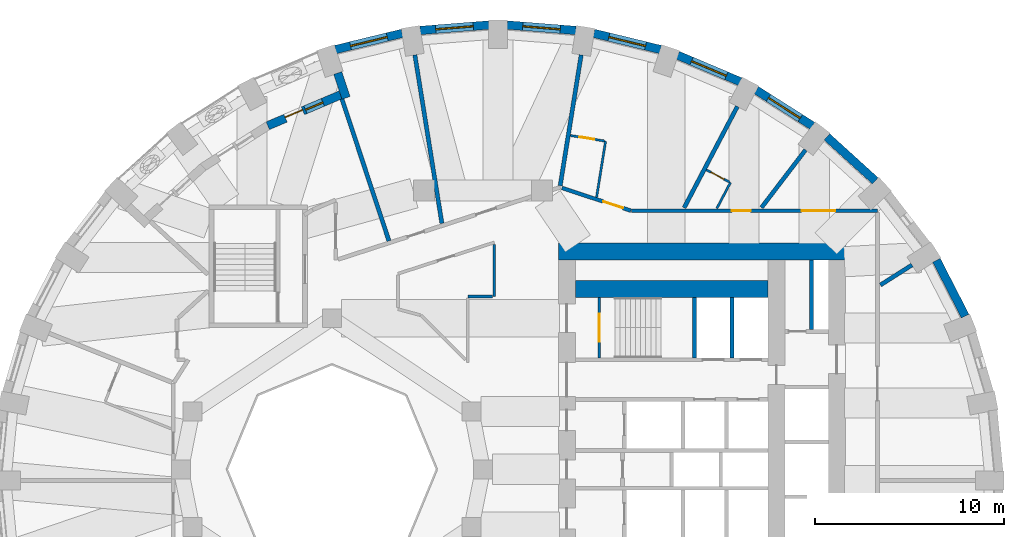
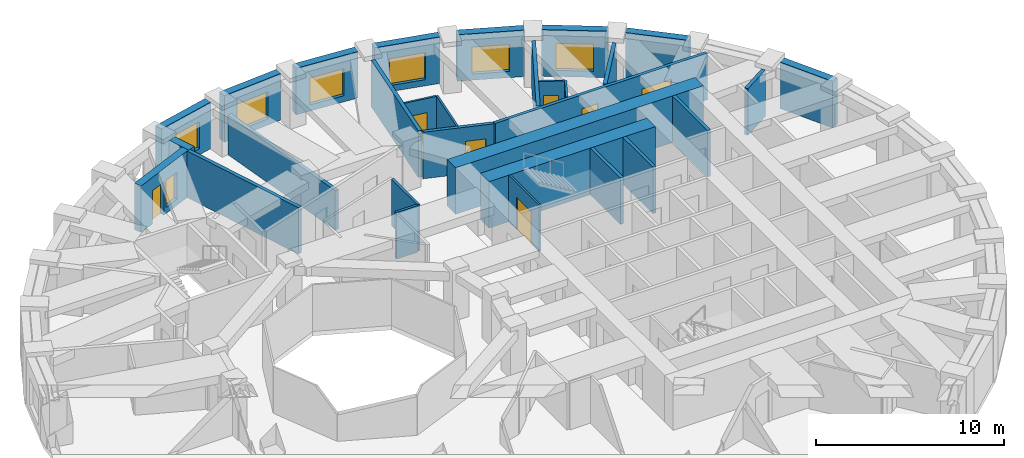
# One storey, part 8 of 12: 30 walls, 7 doors, 7 windows, 14 openings.
"""IFC4 building model written with IfcOpenShell, lengths in metres."""

import ifcopenshell
import ifcopenshell.guid

model = None  # the IFC model being written
_history = None  # IfcOwnerHistory: only IFC2X3 demands one
_inside = {}  # id of a spatial element -> (the spatial element, [elements in it])
_under = {}  # id of a project, library or spatial element -> (it, [spatial elements below it])
_declared = {}  # id of a project -> (the project, [libraries it declares])
_typed = {}  # id of a type object -> (the type object, [elements of that type])
_made_of = {}  # id of a material, layer set ... -> (it, [elements and type objects made of it])


def new_model(schema):
    """Start an empty IFC model of exactly this schema.

    Asked for "IFC4X3", IfcOpenShell would pick the latest addendum, in which some entities
    have other attributes; the version numbers below select the first issue.
    IFC2X3 requires an IfcOwnerHistory on every rooted entity: one is made here for all.
    """
    global model, _history
    if schema == "IFC4X3":
        model = ifcopenshell.file(schema_version=(4, 3, 0, 0))
    else:
        model = ifcopenshell.file(schema=schema)
    _inside.clear()
    _under.clear()
    _declared.clear()
    _typed.clear()
    _made_of.clear()
    _history = None
    if model.schema == "IFC2X3":
        org = make("IfcOrganization", Name="unknown")
        user = make(
            "IfcPersonAndOrganization",
            ThePerson=make("IfcPerson", FamilyName="unknown"),
            TheOrganization=org,
        )
        app = make(
            "IfcApplication",
            ApplicationDeveloper=org,
            Version="unknown",
            ApplicationFullName="unknown",
            ApplicationIdentifier="unknown",
        )
        _history = make(
            "IfcOwnerHistory",
            OwningUser=user,
            OwningApplication=app,
            ChangeAction="ADDED",
            CreationDate=0,
        )
    return model


def make(cls, **values):
    """One entity of the class cls with the attributes given. An attribute that is None is left unset."""
    return model.create_entity(
        cls, **{name: value for name, value in values.items() if value is not None}
    )


def rooted(cls, **values):
    """An entity with a GlobalId (a new one), such as an element, a storey or a relation."""
    return make(cls, GlobalId=ifcopenshell.guid.new(), OwnerHistory=_history, **values)


def si_unit(unit_type, name, prefix=None):
    """IfcSIUnit, for example si_unit("LENGTHUNIT", "METRE", prefix="MILLI")."""
    return make("IfcSIUnit", UnitType=unit_type, Prefix=prefix, Name=name)


def assignment(units):
    """IfcUnitAssignment: the units of a project."""
    return None if units is None else make("IfcUnitAssignment", Units=units)


def point(xyz):
    """IfcCartesianPoint."""
    return None if xyz is None else make("IfcCartesianPoint", Coordinates=xyz)


def direction(xyz):
    """IfcDirection."""
    return None if xyz is None else make("IfcDirection", DirectionRatios=xyz)


def frame(location, z_axis=None, x_axis=None):
    """IfcAxis2Placement3D, a coordinate frame: its origin and axes. An axis left out is left unset."""
    return make(
        "IfcAxis2Placement3D",
        Location=point(location),
        Axis=direction(z_axis),
        RefDirection=direction(x_axis),
    )


def frame_2d(location, x_axis=None):
    """IfcAxis2Placement2D, a coordinate frame in the plane: its origin and x axis."""
    return make(
        "IfcAxis2Placement2D", Location=point(location), RefDirection=direction(x_axis)
    )


def origin():
    """The frame at (0, 0, 0) with its axes left unset."""
    return frame((0.0, 0.0, 0.0))


def place(relative_to, where):
    """IfcLocalPlacement: puts the frame where relative to a parent placement (None: the world)."""
    return make(
        "IfcLocalPlacement", PlacementRelTo=relative_to, RelativePlacement=where
    )


def context(
    kind, dimensions, precision=None, world=None, true_north=None, identifier=None
):
    """IfcGeometricRepresentationContext, for example the 3D "Model" context."""
    return make(
        "IfcGeometricRepresentationContext",
        ContextIdentifier=identifier,
        ContextType=kind,
        CoordinateSpaceDimension=dimensions,
        Precision=precision,
        WorldCoordinateSystem=world,
        TrueNorth=true_north,
    )


def subcontext(parent, identifier, kind, view, scale=None):
    """IfcGeometricRepresentationSubContext, for example "Body" below "Model"."""
    return make(
        "IfcGeometricRepresentationSubContext",
        ContextIdentifier=identifier,
        ContextType=kind,
        ParentContext=parent,
        TargetScale=scale,
        TargetView=view,
    )


def project(units=None, contexts=None):
    """IfcProject with its units and contexts."""
    return rooted(
        "IfcProject",
        Name="project",
        RepresentationContexts=contexts,
        UnitsInContext=assignment(units),
    )


def spatial(cls, under=None, at=None, **own):
    """A site, building, storey or space (cls), placed at a placement, below another one or the project."""
    s = rooted(cls, ObjectPlacement=at, **own)
    if under is not None:
        _under.setdefault(under.id(), (under, []))[1].append(s)
    return s


def profile(cls, at=None, kind="AREA", **sizes):
    """A parametric profile (cls). Its sizes go by their IFC names, for example OverallWidth=200.0."""
    return make(cls, ProfileType=kind, Position=at, **sizes)


def rectangle(**sizes):
    """IfcRectangleProfileDef."""
    return profile("IfcRectangleProfileDef", **sizes)


def extrude(swept, where, along, depth):
    """IfcExtrudedAreaSolid: the profile swept, set in the frame where, extruded along a direction by depth."""
    return make(
        "IfcExtrudedAreaSolid",
        SweptArea=swept,
        Position=where,
        ExtrudedDirection=direction(along),
        Depth=depth,
    )


def shape(context_of_items, identifier, shape_type, items):
    """IfcShapeRepresentation: the items that make up one representation, for example the "Body"."""
    return make(
        "IfcShapeRepresentation",
        ContextOfItems=context_of_items,
        RepresentationIdentifier=identifier,
        RepresentationType=shape_type,
        Items=items,
    )


def material(Name=None, Category=None):
    """IfcMaterial."""
    return make("IfcMaterial", Name=Name, Category=Category)


def layer(
    of_material, thickness, ventilated=None, Name=None, Category=None, Priority=None
):
    """IfcMaterialLayer: one layer of a wall or slab, of a material (None: an air gap)."""
    return make(
        "IfcMaterialLayer",
        Material=of_material,
        LayerThickness=thickness,
        IsVentilated=ventilated,
        Name=Name,
        Category=Category,
        Priority=Priority,
    )


def layer_set(layers, Name=None):
    """IfcMaterialLayerSet."""
    return make("IfcMaterialLayerSet", MaterialLayers=layers, LayerSetName=Name)


def made_of(thing, what):
    """Note that an element or type object is made of a material, layer set ...; save() writes the relation."""
    if what is not None:
        _made_of.setdefault(what.id(), (what, []))[1].append(thing)
    return thing


def type_object(cls, material=None, **own):
    """A type object (cls), such as IfcWallType, which elements share."""
    return made_of(rooted(cls, **own), material)


def element(
    cls,
    number,
    at=None,
    inside=None,
    cuts=None,
    type_object=None,
    material=None,
    context=None,
    identifier="Body",
    shape_type=None,
    held_by="IfcProductDefinitionShape",
    body=None,
    shapes=None,
    **own,
):
    """One element of the class cls, such as IfcWall. Its Tag is "e" and its number.

    at: its placement. inside: the storey or other place that contains it. cuts: it is an
    opening in that element (IfcRelVoidsElement). A single representation is given by context,
    identifier, shape_type and body (its items); several are given by shapes. held_by: the class
    of the entity that holds the representations. save() writes the other relations.
    """
    e = rooted(cls, Tag="e%d" % number, ObjectPlacement=at, **own)
    if body is not None:
        shapes = [shape(context, identifier, shape_type, body)]
    if shapes is not None:
        e.Representation = make(held_by, Representations=shapes)
    if inside is not None:
        _inside.setdefault(inside.id(), (inside, []))[1].append(e)
    if cuts is not None:
        rooted(
            "IfcRelVoidsElement", RelatingBuildingElement=cuts, RelatedOpeningElement=e
        )
    if type_object is not None:
        _typed.setdefault(type_object.id(), (type_object, []))[1].append(e)
    return made_of(e, material)


def fill(opening, filler):
    """IfcRelFillsElement: the door or window that sits in an opening."""
    return rooted(
        "IfcRelFillsElement",
        RelatingOpeningElement=opening,
        RelatedBuildingElement=filler,
    )


def aggregate(whole, parts):
    """IfcRelAggregates: a whole, such as a stair, and the parts it consists of."""
    return rooted("IfcRelAggregates", RelatingObject=whole, RelatedObjects=parts)


def save(model, path):
    """Write the relations noted so far, then the file.

    IfcRelAggregates (storeys below a building ...), IfcRelContainedInSpatialStructure (elements
    in a storey), IfcRelDefinesByType, IfcRelAssociatesMaterial and IfcRelDeclares: one each for
    every whole, place, type object, material and project.
    """
    for whole, parts in _under.values():
        aggregate(whole, parts)
    for where, things in _inside.values():
        rooted(
            "IfcRelContainedInSpatialStructure",
            RelatedElements=things,
            RelatingStructure=where,
        )
    for kind, things in _typed.values():
        rooted("IfcRelDefinesByType", RelatedObjects=things, RelatingType=kind)
    for what, things in _made_of.values():
        rooted("IfcRelAssociatesMaterial", RelatedObjects=things, RelatingMaterial=what)
    for by, libraries in _declared.values():
        rooted("IfcRelDeclares", RelatingContext=by, RelatedDefinitions=libraries)
    model.write(path)


model = new_model("IFC4")

# Units and contexts
model_context = context("Model", 3, precision=1e-05, world=origin(), true_north=direction((0.0, 1.0)))
body_context = subcontext(model_context, "Body", "Model", "MODEL_VIEW")
ifc_project = project(units=[si_unit("LENGTHUNIT", "METRE"), si_unit("AREAUNIT", "SQUARE_METRE"), si_unit("VOLUMEUNIT", "CUBIC_METRE"), si_unit("PLANEANGLEUNIT", "RADIAN"), si_unit("MASSUNIT", "GRAM", prefix="KILO")], contexts=[model_context])

# Site, building, storey
site_placement = place(None, origin())
site = spatial("IfcSite", under=ifc_project, at=site_placement, CompositionType="ELEMENT")
building_placement = place(site_placement, origin())
building = spatial("IfcBuilding", under=site, at=building_placement, Name="Taillehof Tower", CompositionType="ELEMENT")
storey_placement = place(building_placement, frame((0.0, 0.0, 125.199951171875)))
storey = spatial("IfcBuildingStorey", under=building, at=storey_placement, Name="L35", CompositionType="ELEMENT", Elevation=125.199951171875)

# Walls
ifc_material_1 = material(Name="Brick masonry", Category="masonry")
ifc_layer_1 = layer(ifc_material_1, 0.449951171875)
ifc_layer_set_1 = layer_set([ifc_layer_1], Name="Brick infill wall 450")
wall_type_1 = type_object("IfcWallType", Name="Brick infill wall 450", PredefinedType="SOLIDWALL", material=ifc_layer_set_1)
wall_1_placement = place(storey_placement, frame((25.545166015625, 8.1123046875, 0.0), z_axis=(0.0, 0.0, 1.0), x_axis=(-0.456828186229, 0.889554949549, 0.0)))
element("IfcWall", 1, at=wall_1_placement, inside=storey, type_object=wall_type_1, Name="Brick wall L35 bay 3", PredefinedType="SOLIDWALL", context=body_context, shape_type="SweptSolid", body=[
    extrude(rectangle(XDim=3.332763671875, YDim=0.449951171875, at=frame_2d((1.66650390625, 0.0))), origin(), (0.0, 0.0, 1.0), 3.02001953125),
])
wall_2_placement = place(storey_placement, frame((20.783935546875, 15.281005859375, 0.0), z_axis=(0.0, 0.0, 1.0), x_axis=(-0.74032902847, 0.672244694739, 0.0)))
element("IfcWall", 2, at=wall_2_placement, inside=storey, type_object=wall_type_1, Name="Brick wall L35 bay 5", PredefinedType="SOLIDWALL", context=body_context, shape_type="SweptSolid", body=[
    extrude(rectangle(XDim=3.4638671875, YDim=0.449951171875, at=frame_2d((1.73193359375, 0.0))), origin(), (0.0, 0.0, 1.0), 3.02001953125),
])

# Wall, opening, window
wall_3_placement = place(storey_placement, frame((17.456298828125, 18.19189453125, 0.0), z_axis=(0.0, 0.0, 1.0), x_axis=(-0.843880549131, 0.536531097699, 0.0)))
wall_3 = element("IfcWall", 3, at=wall_3_placement, inside=storey, type_object=wall_type_1, Name="Brick wall L35 bay 6", PredefinedType="SOLIDWALL", context=body_context, shape_type="SweptSolid", body=[
    extrude(rectangle(XDim=3.532470703125, YDim=0.449951171875, at=frame_2d((1.76611328125, 0.0))), origin(), (0.0, 0.0, 1.0), 3.02001953125),
])
opening_1_placement = place(wall_3_placement, frame((0.76611328125, 0.0, 0.39990234375)))
opening_1 = element("IfcOpeningElement", 4, at=opening_1_placement, cuts=wall_3, Name="Opening W2", PredefinedType="OPENING", context=body_context, shape_type="SweptSolid", body=[
    extrude(rectangle(XDim=2.0, YDim=1.75, at=frame_2d((1.0, 0.875))), frame((0.0, 0.23486328125, 0.0), z_axis=(0.0, -1.0, 0.0), x_axis=(1.0, 0.0, 0.0)), (0.0, 0.0, 1.0), 0.469970703125),
])
ifc_material_2 = material(Name="Aluminium window frame with clear double glazing", Category="aluminium")
window_type_1 = type_object("IfcWindowType", Name="Deep-set window 2000x1750", PartitioningType="SINGLE_PANEL", PredefinedType="WINDOW", material=ifc_material_2)
window_1_placement = place(opening_1_placement, origin())
window_1 = element("IfcWindow", 5, at=window_1_placement, inside=storey, type_object=window_type_1, Name="W2", OverallHeight=1.75, OverallWidth=2.0, PartitioningType="SINGLE_PANEL", PredefinedType="WINDOW", context=body_context, shape_type="SweptSolid", body=[
    extrude(rectangle(XDim=2.0, YDim=1.75, at=frame_2d((1.0, 0.875))), frame((0.0, 0.034912109375, 0.0), z_axis=(0.0, -1.0, 0.0), x_axis=(1.0, 0.0, 0.0)), (0.0, 0.0, 1.0), 0.06005859375),
])
fill(opening_1, window_1)

wall_4_placement = place(storey_placement, frame((13.625244140625, 20.533447265625, 0.0), z_axis=(0.0, 0.0, 1.0), x_axis=(-0.920869643542, 0.389870619055, 0.0)))
wall_4 = element("IfcWall", 6, at=wall_4_placement, inside=storey, type_object=wall_type_1, Name="Brick wall L35 bay 7", PredefinedType="SOLIDWALL", context=body_context, shape_type="SweptSolid", body=[
    extrude(rectangle(XDim=3.59130859375, YDim=0.449951171875, at=frame_2d((1.795654296875, 0.0))), origin(), (0.0, 0.0, 1.0), 3.02001953125),
])
opening_2_placement = place(wall_4_placement, frame((0.795654296875, 0.0, 0.39990234375)))
opening_2 = element("IfcOpeningElement", 7, at=opening_2_placement, cuts=wall_4, Name="Opening W2", PredefinedType="OPENING", context=body_context, shape_type="SweptSolid", body=[
    extrude(rectangle(XDim=2.0, YDim=1.75, at=frame_2d((1.0, 0.875))), frame((0.0, 0.23486328125, 0.0), z_axis=(0.0, -1.0, 0.0), x_axis=(1.0, 0.0, 0.0)), (0.0, 0.0, 1.0), 0.469970703125),
])
window_2_placement = place(opening_2_placement, origin())
window_2 = element("IfcWindow", 8, at=window_2_placement, inside=storey, type_object=window_type_1, Name="W2", OverallHeight=1.75, OverallWidth=2.0, PartitioningType="SINGLE_PANEL", PredefinedType="WINDOW", context=body_context, shape_type="SweptSolid", body=[
    extrude(rectangle(XDim=2.0, YDim=1.75, at=frame_2d((1.0, 0.875))), frame((0.0, 0.034912109375, 0.0), z_axis=(0.0, -1.0, 0.0), x_axis=(1.0, 0.0, 0.0)), (0.0, 0.0, 1.0), 0.06005859375),
])
fill(opening_2, window_2)

wall_5_placement = place(storey_placement, frame((9.406494140625, 22.2353515625, 0.0), z_axis=(0.0, 0.0, 1.0), x_axis=(-0.971667603162, 0.236351579148, 0.0)))
wall_5 = element("IfcWall", 9, at=wall_5_placement, inside=storey, type_object=wall_type_1, Name="Brick wall L35 bay 8", PredefinedType="SOLIDWALL", context=body_context, shape_type="SweptSolid", body=[
    extrude(rectangle(XDim=3.635009765625, YDim=0.449951171875, at=frame_2d((1.8173828125, 0.0))), origin(), (0.0, 0.0, 1.0), 3.02001953125),
])
opening_3_placement = place(wall_5_placement, frame((0.8173828125, 0.0, 0.39990234375)))
opening_3 = element("IfcOpeningElement", 10, at=opening_3_placement, cuts=wall_5, Name="Opening W2", PredefinedType="OPENING", context=body_context, shape_type="SweptSolid", body=[
    extrude(rectangle(XDim=2.0, YDim=1.75, at=frame_2d((1.0, 0.875))), frame((0.0, 0.23486328125, 0.0), z_axis=(0.0, -1.0, 0.0), x_axis=(1.0, 0.0, 0.0)), (0.0, 0.0, 1.0), 0.469970703125),
])
window_3_placement = place(opening_3_placement, origin())
window_3 = element("IfcWindow", 11, at=window_3_placement, inside=storey, type_object=window_type_1, Name="W2", OverallHeight=1.75, OverallWidth=2.0, PartitioningType="SINGLE_PANEL", PredefinedType="WINDOW", context=body_context, shape_type="SweptSolid", body=[
    extrude(rectangle(XDim=2.0, YDim=1.75, at=frame_2d((1.0, 0.875))), frame((0.0, 0.034912109375, 0.0), z_axis=(0.0, -1.0, 0.0), x_axis=(1.0, 0.0, 0.0)), (0.0, 0.0, 1.0), 0.06005859375),
])
fill(opening_3, window_3)

wall_6_placement = place(storey_placement, frame((4.926513671875, 23.24658203125, 0.0), z_axis=(0.0, 0.0, 1.0), x_axis=(-0.996862216754, 0.079156306178, 0.0)))
wall_6 = element("IfcWall", 12, at=wall_6_placement, inside=storey, type_object=wall_type_1, Name="Brick wall L35 bay 9", PredefinedType="SOLIDWALL", context=body_context, shape_type="SweptSolid", body=[
    extrude(rectangle(XDim=3.657958984375, YDim=0.449951171875, at=frame_2d((1.8291015625, 0.0))), origin(), (0.0, 0.0, 1.0), 3.02001953125),
])
opening_4_placement = place(wall_6_placement, frame((0.8291015625, 0.0, 0.39990234375)))
opening_4 = element("IfcOpeningElement", 13, at=opening_4_placement, cuts=wall_6, Name="Opening W2", PredefinedType="OPENING", context=body_context, shape_type="SweptSolid", body=[
    extrude(rectangle(XDim=2.0, YDim=1.75, at=frame_2d((1.0, 0.875))), frame((0.0, 0.23486328125, 0.0), z_axis=(0.0, -1.0, 0.0), x_axis=(1.0, 0.0, 0.0)), (0.0, 0.0, 1.0), 0.469970703125),
])
window_4_placement = place(opening_4_placement, origin())
window_4 = element("IfcWindow", 14, at=window_4_placement, inside=storey, type_object=window_type_1, Name="W2", OverallHeight=1.75, OverallWidth=2.0, PartitioningType="SINGLE_PANEL", PredefinedType="WINDOW", context=body_context, shape_type="SweptSolid", body=[
    extrude(rectangle(XDim=2.0, YDim=1.75, at=frame_2d((1.0, 0.875))), frame((0.0, 0.034912109375, 0.0), z_axis=(0.0, -1.0, 0.0), x_axis=(1.0, 0.0, 0.0)), (0.0, 0.0, 1.0), 0.06005859375),
])
fill(opening_4, window_4)

wall_7_placement = place(storey_placement, frame((0.31982421875, 23.5361328125, 0.0), z_axis=(0.0, 0.0, 1.0), x_axis=(-0.996862216754, -0.079156306178, 0.0)))
wall_7 = element("IfcWall", 15, at=wall_7_placement, inside=storey, type_object=wall_type_1, Name="Brick wall L35 bay 10", PredefinedType="SOLIDWALL", context=body_context, shape_type="SweptSolid", body=[
    extrude(rectangle(XDim=3.657958984375, YDim=0.449951171875, at=frame_2d((1.8291015625, 0.0))), origin(), (0.0, 0.0, 1.0), 3.02001953125),
])
opening_5_placement = place(wall_7_placement, frame((0.8291015625, 0.0, 0.39990234375)))
opening_5 = element("IfcOpeningElement", 16, at=opening_5_placement, cuts=wall_7, Name="Opening W2", PredefinedType="OPENING", context=body_context, shape_type="SweptSolid", body=[
    extrude(rectangle(XDim=2.0, YDim=1.75, at=frame_2d((1.0, 0.875))), frame((0.0, 0.23486328125, 0.0), z_axis=(0.0, -1.0, 0.0), x_axis=(1.0, 0.0, 0.0)), (0.0, 0.0, 1.0), 0.469970703125),
])
window_5_placement = place(opening_5_placement, origin())
window_5 = element("IfcWindow", 17, at=window_5_placement, inside=storey, type_object=window_type_1, Name="W2", OverallHeight=1.75, OverallWidth=2.0, PartitioningType="SINGLE_PANEL", PredefinedType="WINDOW", context=body_context, shape_type="SweptSolid", body=[
    extrude(rectangle(XDim=2.0, YDim=1.75, at=frame_2d((1.0, 0.875))), frame((0.0, 0.034912109375, 0.0), z_axis=(0.0, -1.0, 0.0), x_axis=(1.0, 0.0, 0.0)), (0.0, 0.0, 1.0), 0.06005859375),
])
fill(opening_5, window_5)

wall_8_placement = place(storey_placement, frame((-4.274658203125, 23.094482421875, 0.0), z_axis=(0.0, 0.0, 1.0), x_axis=(-0.971667603162, -0.236351579148, 0.0)))
wall_8 = element("IfcWall", 18, at=wall_8_placement, inside=storey, type_object=wall_type_1, Name="Brick wall L35 bay 11", PredefinedType="SOLIDWALL", context=body_context, shape_type="SweptSolid", body=[
    extrude(rectangle(XDim=3.635009765625, YDim=0.449951171875, at=frame_2d((1.8173828125, 0.0))), origin(), (0.0, 0.0, 1.0), 3.02001953125),
])
opening_6_placement = place(wall_8_placement, frame((0.8173828125, 0.0, 0.39990234375)))
opening_6 = element("IfcOpeningElement", 19, at=opening_6_placement, cuts=wall_8, Name="Opening W2", PredefinedType="OPENING", context=body_context, shape_type="SweptSolid", body=[
    extrude(rectangle(XDim=2.0, YDim=1.75, at=frame_2d((1.0, 0.875))), frame((0.0, 0.23486328125, 0.0), z_axis=(0.0, -1.0, 0.0), x_axis=(1.0, 0.0, 0.0)), (0.0, 0.0, 1.0), 0.469970703125),
])
window_6_placement = place(opening_6_placement, origin())
window_6 = element("IfcWindow", 20, at=window_6_placement, inside=storey, type_object=window_type_1, Name="W2", OverallHeight=1.75, OverallWidth=2.0, PartitioningType="SINGLE_PANEL", PredefinedType="WINDOW", context=body_context, shape_type="SweptSolid", body=[
    extrude(rectangle(XDim=2.0, YDim=1.75, at=frame_2d((1.0, 0.875))), frame((0.0, 0.034912109375, 0.0), z_axis=(0.0, -1.0, 0.0), x_axis=(1.0, 0.0, 0.0)), (0.0, 0.0, 1.0), 0.06005859375),
])
fill(opening_6, window_6)

# Wall
wall_9_placement = place(storey_placement, frame((-7.68701171875, 20.99462890625, 0.0), z_axis=(0.0, 0.0, 1.0), x_axis=(0.314541283205, -0.949243794375, 0.0)))
element("IfcWall", 21, at=wall_9_placement, inside=storey, type_object=wall_type_1, Name="Brick reveal L35 pocket 3", PredefinedType="SOLIDWALL", context=body_context, shape_type="SweptSolid", body=[
    extrude(rectangle(XDim=1.39013671875, YDim=0.449951171875, at=frame_2d((0.695068359375, 0.0))), origin(), (0.0, 0.0, 1.0), 3.02001953125),
])

# Wall, openings, door, window
wall_10_placement = place(storey_placement, frame((-7.540283203125, 19.8359375, 0.0), z_axis=(0.0, 0.0, 1.0), x_axis=(-0.920502375708, -0.390736965637, 0.0)))
wall_10 = element("IfcWall", 22, at=wall_10_placement, inside=storey, type_object=wall_type_1, Name="Brick wall L35 pocket bay 12", PredefinedType="SOLIDWALL", context=body_context, shape_type="SweptSolid", body=[
    extrude(rectangle(XDim=4.188232421875, YDim=0.449951171875, at=frame_2d((2.09423828125, 0.0))), origin(), (0.0, 0.0, 1.0), 3.02001953125),
])
opening_7_placement = place(wall_10_placement, frame((1.01904296875, 0.0, 0.39990234375)))
opening_7 = element("IfcOpeningElement", 23, at=opening_7_placement, cuts=wall_10, Name="Opening W5", PredefinedType="OPENING", context=body_context, shape_type="SweptSolid", body=[
    extrude(rectangle(XDim=1.0, YDim=1.75, at=frame_2d((0.5, 0.875))), frame((0.0, 0.23486328125, 0.0), z_axis=(0.0, -1.0, 0.0), x_axis=(1.0, 0.0, 0.0)), (0.0, 0.0, 1.0), 0.469970703125),
])
opening_8_placement = place(wall_10_placement, frame((2.169189453125, 0.0, 0.0)))
opening_8 = element("IfcOpeningElement", 24, at=opening_8_placement, cuts=wall_10, Name="Opening D3594", PredefinedType="OPENING", context=body_context, shape_type="SweptSolid", body=[
    extrude(rectangle(XDim=1.0, YDim=2.14990234375, at=frame_2d((0.5, 1.074951171875))), frame((0.0, 0.23486328125, 0.0), z_axis=(0.0, -1.0, 0.0), x_axis=(1.0, 0.0, 0.0)), (0.0, 0.0, 1.0), 0.469970703125),
])
ifc_material_3 = material(Name="Aluminium door frame with clear double glazing", Category="aluminium")
door_type_1 = type_object("IfcDoorType", Name="Balcony door 1000x2150", OperationType="SINGLE_SWING_RIGHT", PredefinedType="DOOR", material=ifc_material_3)
door_1_placement = place(opening_8_placement, frame((1.0, 0.0, 0.0), z_axis=(0.0, 0.0, 1.0), x_axis=(-1.0, 0.0, 0.0)))
door_1 = element("IfcDoor", 25, at=door_1_placement, inside=storey, type_object=door_type_1, Name="Balcony door L35 bay 12", OperationType="SINGLE_SWING_RIGHT", OverallHeight=2.14990234375, OverallWidth=1.0, PredefinedType="DOOR", context=body_context, shape_type="SweptSolid", body=[
    extrude(rectangle(XDim=1.0, YDim=2.14990234375, at=frame_2d((0.5, 1.074951171875))), frame((0.0, 0.0751953125, 0.0), z_axis=(0.0, -1.0, 0.0), x_axis=(1.0, 0.0, 0.0)), (0.0, 0.0, 1.0), 0.050048828125),
])
fill(opening_8, door_1)
ifc_material_4 = material(Name="Aluminium window frame with clear double glazing", Category="aluminium")
window_type_2 = type_object("IfcWindowType", Name="Fixed window 1000x1750", PartitioningType="SINGLE_PANEL", PredefinedType="WINDOW", material=ifc_material_4)
window_7_placement = place(opening_7_placement, origin())
window_7 = element("IfcWindow", 26, at=window_7_placement, inside=storey, type_object=window_type_2, Name="W5", OverallHeight=1.75, OverallWidth=1.0, PartitioningType="SINGLE_PANEL", PredefinedType="WINDOW", context=body_context, shape_type="SweptSolid", body=[
    extrude(rectangle(XDim=1.0, YDim=1.75, at=frame_2d((0.5, 0.875))), frame((0.0, 0.034912109375, 0.0), z_axis=(0.0, -1.0, 0.0), x_axis=(1.0, 0.0, 0.0)), (0.0, 0.0, 1.0), 0.06005859375),
])
fill(opening_7, window_7)

# Wall
ifc_material_5 = material(Name="Calcium silicate masonry", Category="masonry")
ifc_layer_2 = layer(ifc_material_5, 0.199951171875)
ifc_layer_set_2 = layer_set([ifc_layer_2], Name="Compartment wall calcium silicate 200")
wall_type_2 = type_object("IfcWallType", Name="Compartment wall calcium silicate 200", PredefinedType="PARTITIONING", material=ifc_layer_set_2)
wall_11_placement = place(storey_placement, frame((17.39990234375, 7.39990234375, 0.0), z_axis=(0.0, 0.0, 1.0), x_axis=(0.0, 1.0, 0.0)))
element("IfcWall", 27, at=wall_11_placement, inside=storey, type_object=wall_type_2, Name="Compartment wall FW", PredefinedType="PARTITIONING", context=body_context, shape_type="SweptSolid", body=[
    extrude(rectangle(XDim=3.7001953125, YDim=0.199951171875, at=frame_2d((1.85009765625, 0.0))), origin(), (0.0, 0.0, 1.0), 3.02001953125),
])

# Wall, opening, door
ifc_material_6 = material(Name="Gypsum board on steel studs, two layers each side", Category="steel")
ifc_layer_3 = layer(ifc_material_6, 0.199951171875)
ifc_layer_set_3 = layer_set([ifc_layer_3], Name="Compartment wall corridor 200")
wall_type_3 = type_object("IfcWallType", Name="Compartment wall corridor 200", PredefinedType="PARTITIONING", material=ifc_layer_set_3)
wall_12_placement = place(storey_placement, frame((4.185791015625, 14.90625, 0.0), z_axis=(0.0, 0.0, 1.0), x_axis=(0.94947428881, -0.313844826131, 0.0)))
wall_12 = element("IfcWall", 28, at=wall_12_placement, inside=storey, type_object=wall_type_3, Name="Compartment wall", PredefinedType="PARTITIONING", context=body_context, shape_type="SweptSolid", body=[
    extrude(rectangle(XDim=3.843505859375, YDim=0.199951171875, at=frame_2d((1.921875, 0.0))), origin(), (0.0, 0.0, 1.0), 3.02001953125),
])
opening_9_placement = place(wall_12_placement, frame((2.29833984375, 0.0, 0.0)))
opening_9 = element("IfcOpeningElement", 29, at=opening_9_placement, cuts=wall_12, Name="Opening D3542", PredefinedType="OPENING", context=body_context, shape_type="SweptSolid", body=[
    extrude(rectangle(XDim=1.10009765625, YDim=2.10009765625, at=frame_2d((0.550048828125, 1.050048828125))), frame((0.0, 0.10986328125, 0.0), z_axis=(0.0, -1.0, 0.0), x_axis=(1.0, 0.0, 0.0)), (0.0, 0.0, 1.0), 0.219970703125),
])
ifc_material_7 = material(Name="Timber door leaf in steel frame", Category="steel")
door_type_2 = type_object("IfcDoorType", Name="Suite entrance door EI 30 1100 x 2100", OperationType="SINGLE_SWING_LEFT", PredefinedType="DOOR", material=ifc_material_7)
door_2_placement = place(opening_9_placement, origin())
door_2 = element("IfcDoor", 30, at=door_2_placement, inside=storey, type_object=door_type_2, Name="D3542", OperationType="SINGLE_SWING_LEFT", OverallHeight=2.10009765625, OverallWidth=1.10009765625, PredefinedType="DOOR", context=body_context, shape_type="SweptSolid", body=[
    extrude(rectangle(XDim=1.10009765625, YDim=2.10009765625, at=frame_2d((0.550048828125, 1.050048828125))), frame((0.0, 0.02490234375, 0.0), z_axis=(0.0, -1.0, 0.0), x_axis=(1.0, 0.0, 0.0)), (0.0, 0.0, 1.0), 0.050048828125),
])
fill(opening_9, door_2)

# Wall, openings, doors
wall_13_placement = place(storey_placement, frame((7.875244140625, 13.699951171875, 0.0), z_axis=(0.0, 0.0, 1.0), x_axis=(1.0, 0.0, 0.0)))
wall_13 = element("IfcWall", 31, at=wall_13_placement, inside=storey, type_object=wall_type_3, Name="Compartment wall", PredefinedType="PARTITIONING", context=body_context, shape_type="SweptSolid", body=[
    extrude(rectangle(XDim=13.024658203125, YDim=0.199951171875, at=frame_2d((6.51220703125, 0.0))), origin(), (0.0, 0.0, 1.0), 3.02001953125),
])
opening_10_placement = place(wall_13_placement, frame((5.310546875, 0.0, 0.0)))
opening_10 = element("IfcOpeningElement", 32, at=opening_10_placement, cuts=wall_13, Name="Opening D3540", PredefinedType="OPENING", context=body_context, shape_type="SweptSolid", body=[
    extrude(rectangle(XDim=1.0, YDim=2.10009765625, at=frame_2d((0.5, 1.050048828125))), frame((0.0, 0.10986328125, 0.0), z_axis=(0.0, -1.0, 0.0), x_axis=(1.0, 0.0, 0.0)), (0.0, 0.0, 1.0), 0.219970703125),
])
opening_11_placement = place(wall_13_placement, frame((8.999755859375, 0.0, 0.0)))
opening_11 = element("IfcOpeningElement", 33, at=opening_11_placement, cuts=wall_13, Name="Opening D3565", PredefinedType="OPENING", context=body_context, shape_type="SweptSolid", body=[
    extrude(rectangle(XDim=1.800048828125, YDim=2.10009765625, at=frame_2d((0.89990234375, 1.050048828125))), frame((0.0, 0.10986328125, 0.0), z_axis=(0.0, -1.0, 0.0), x_axis=(1.0, 0.0, 0.0)), (0.0, 0.0, 1.0), 0.219970703125),
])
ifc_material_8 = material(Name="Timber door leaf in steel frame", Category="steel")
door_type_3 = type_object("IfcDoorType", Name="Guest room door EI 30 1000 x 2100", OperationType="SINGLE_SWING_LEFT", PredefinedType="DOOR", material=ifc_material_8)
door_3_placement = place(opening_10_placement, origin())
door_3 = element("IfcDoor", 34, at=door_3_placement, inside=storey, type_object=door_type_3, Name="D3540", OperationType="SINGLE_SWING_RIGHT", OverallHeight=2.10009765625, OverallWidth=1.0, PredefinedType="DOOR", context=body_context, shape_type="SweptSolid", body=[
    extrude(rectangle(XDim=1.0, YDim=2.10009765625, at=frame_2d((0.5, 1.050048828125))), frame((0.0, 0.02490234375, 0.0), z_axis=(0.0, -1.0, 0.0), x_axis=(1.0, 0.0, 0.0)), (0.0, 0.0, 1.0), 0.050048828125),
])
fill(opening_10, door_3)
ifc_material_9 = material(Name="Timber door leaf in steel frame", Category="steel")
door_type_4 = type_object("IfcDoorType", Name="Lounge and meeting room double door EI 30 1800 x 2100", OperationType="SINGLE_SWING_LEFT", PredefinedType="DOOR", material=ifc_material_9)
door_4_placement = place(opening_11_placement, origin())
door_4 = element("IfcDoor", 35, at=door_4_placement, inside=storey, type_object=door_type_4, Name="D3565", OperationType="DOUBLE_DOOR_SINGLE_SWING", OverallHeight=2.10009765625, OverallWidth=1.800048828125, PredefinedType="DOOR", context=body_context, shape_type="SweptSolid", body=[
    extrude(rectangle(XDim=1.800048828125, YDim=2.10009765625, at=frame_2d((0.89990234375, 1.050048828125))), frame((0.0, 0.02490234375, 0.0), z_axis=(0.0, -1.0, 0.0), x_axis=(1.0, 0.0, 0.0)), (0.0, 0.0, 1.0), 0.050048828125),
])
fill(opening_11, door_4)

# Walls
ifc_material_10 = material(Name="Gypsum board on double steel studs with mineral wool", Category="steel")
ifc_layer_4 = layer(ifc_material_10, 0.219970703125)
ifc_layer_set_4 = layer_set([ifc_layer_4], Name="Compartment wall guest room 220")
wall_type_4 = type_object("IfcWallType", Name="Compartment wall guest room 220", PredefinedType="PARTITIONING", material=ifc_layer_set_4)
wall_14_placement = place(storey_placement, frame((22.7265625, 10.8232421875, 0.0), z_axis=(0.0, 0.0, 1.0), x_axis=(-0.844587282199, -0.535417895431, 0.0)))
element("IfcWall", 36, at=wall_14_placement, inside=storey, type_object=wall_type_4, Name="Compartment wall", PredefinedType="PARTITIONING", context=body_context, shape_type="SweptSolid", body=[
    extrude(rectangle(XDim=1.984375, YDim=0.219970703125, at=frame_2d((0.9921875, 0.0))), origin(), (0.0, 0.0, 1.0), 3.02001953125),
])
wall_15_placement = place(storey_placement, frame((17.08935546875, 16.9208984375, 0.0), z_axis=(0.0, 0.0, 1.0), x_axis=(-0.607033117359, -0.794676534465, 0.0)))
element("IfcWall", 37, at=wall_15_placement, inside=storey, type_object=wall_type_4, Name="Compartment wall", PredefinedType="PARTITIONING", context=body_context, shape_type="SweptSolid", body=[
    extrude(rectangle(XDim=3.847412109375, YDim=0.219970703125, at=frame_2d((1.923828125, 0.0))), origin(), (0.0, 0.0, 1.0), 3.02001953125),
])
wall_16_placement = place(storey_placement, frame((13.47607421875, 19.217529296875, 0.0), z_axis=(0.0, 0.0, 1.0), x_axis=(-0.465346231977, -0.885128738876, 0.0)))
element("IfcWall", 38, at=wall_16_placement, inside=storey, type_object=wall_type_4, Name="Compartment wall", PredefinedType="PARTITIONING", context=body_context, shape_type="SweptSolid", body=[
    extrude(rectangle(XDim=6.06005859375, YDim=0.219970703125, at=frame_2d((3.030029296875, 0.0))), origin(), (0.0, 0.0, 1.0), 3.02001953125),
])
wall_17_placement = place(storey_placement, frame((5.20458984375, 21.9501953125, 0.0), z_axis=(0.0, 0.0, 1.0), x_axis=(-0.158500652659, -0.987358872501, 0.0)))
element("IfcWall", 39, at=wall_17_placement, inside=storey, type_object=wall_type_4, Name="Compartment wall", PredefinedType="PARTITIONING", context=body_context, shape_type="SweptSolid", body=[
    extrude(rectangle(XDim=7.017578125, YDim=0.219970703125, at=frame_2d((3.5087890625, 0.0))), origin(), (0.0, 0.0, 1.0), 3.02001953125),
])
wall_18_placement = place(storey_placement, frame((-3.604736328125, 21.9501953125, 0.0), z_axis=(0.0, 0.0, 1.0), x_axis=(0.158519564718, -0.987355836364, 0.0)))
element("IfcWall", 40, at=wall_18_placement, inside=storey, type_object=wall_type_4, Name="Compartment wall", PredefinedType="PARTITIONING", context=body_context, shape_type="SweptSolid", body=[
    extrude(rectangle(XDim=9.034423828125, YDim=0.219970703125, at=frame_2d((4.51708984375, 0.0))), origin(), (0.0, 0.0, 1.0), 2.570068359375),
])
wall_19_placement = place(storey_placement, frame((-7.46923828125, 19.621826171875, 0.0), z_axis=(0.0, 0.0, 1.0), x_axis=(0.314545340174, -0.949242450049, 0.0)))
element("IfcWall", 41, at=wall_19_placement, inside=storey, type_object=wall_type_4, Name="Compartment wall", PredefinedType="PARTITIONING", context=body_context, shape_type="SweptSolid", body=[
    extrude(rectangle(XDim=7.925537109375, YDim=0.219970703125, at=frame_2d((3.962890625, 0.0))), origin(), (0.0, 0.0, 1.0), 3.02001953125),
])
ifc_material_11 = material(Name="Gypsum board on steel studs, two layers each side", Category="steel")
ifc_layer_5 = layer(ifc_material_11, 0.14990234375)
ifc_layer_set_5 = layer_set([ifc_layer_5], Name="Compartment wall service room 150")
wall_type_5 = type_object("IfcWallType", Name="Compartment wall service room 150", PredefinedType="PARTITIONING", material=ifc_layer_set_5)
wall_20_placement = place(storey_placement, frame((0.60009765625, 11.9169921875, 0.0), z_axis=(0.0, 0.0, 1.0), x_axis=(0.0, -1.0, 0.0)))
element("IfcWall", 42, at=wall_20_placement, inside=storey, type_object=wall_type_5, Name="Compartment wall", PredefinedType="PARTITIONING", context=body_context, shape_type="SweptSolid", body=[
    extrude(rectangle(XDim=2.76708984375, YDim=0.14990234375, at=frame_2d((1.383544921875, 0.0))), origin(), (0.0, 0.0, 1.0), 3.02001953125),
])
wall_21_placement = place(storey_placement, frame((0.52001953125, 9.14990234375, 0.0), z_axis=(0.0, 0.0, 1.0), x_axis=(-1.0, 0.0, 0.0)))
element("IfcWall", 43, at=wall_21_placement, inside=storey, type_object=wall_type_5, Name="Compartment wall", PredefinedType="PARTITIONING", context=body_context, shape_type="SweptSolid", body=[
    extrude(rectangle(XDim=1.320068359375, YDim=0.14990234375, at=frame_2d((0.66015625, 0.0))), origin(), (0.0, 0.0, 1.0), 3.02001953125),
])
ifc_material_12 = material(Name="Concrete C80/95", Category="concrete")
ifc_layer_6 = layer(ifc_material_12, 0.89990234375)
ifc_layer_set_6 = layer_set([ifc_layer_6], Name="Core wall C80/95 900")
wall_type_6 = type_object("IfcWallType", Name="Core wall C80/95 900", PredefinedType="SHEAR", material=ifc_layer_set_6)
wall_22_placement = place(storey_placement, frame((4.0, 11.550048828125, 0.0), z_axis=(0.0, 0.0, 1.0), x_axis=(1.0, 0.0, 0.0)))
element("IfcWall", 44, at=wall_22_placement, inside=storey, type_object=wall_type_6, Name="Core wall CW03", PredefinedType="SHEAR", context=body_context, shape_type="SweptSolid", body=[
    extrude(rectangle(XDim=15.199951171875, YDim=0.89990234375, at=frame_2d((7.60009765625, 0.0))), origin(), (0.0, 0.0, 1.0), 3.02001953125),
])
wall_23_placement = place(storey_placement, frame((4.89990234375, 9.550048828125, 0.0), z_axis=(0.0, 0.0, 1.0), x_axis=(1.0, 0.0, 0.0)))
element("IfcWall", 45, at=wall_23_placement, inside=storey, type_object=wall_type_6, Name="Core wall CW06", PredefinedType="SHEAR", context=body_context, shape_type="SweptSolid", body=[
    extrude(rectangle(XDim=10.2001953125, YDim=0.89990234375, at=frame_2d((5.10009765625, 0.0))), origin(), (0.0, 0.0, 1.0), 3.02001953125),
])
ifc_material_13 = material(Name="Gypsum board on steel studs, moisture resistant", Category="steel")
ifc_layer_7 = layer(ifc_material_13, 0.1201171875)
ifc_layer_set_7 = layer_set([ifc_layer_7], Name="En-suite wall 120")
wall_type_7 = type_object("IfcWallType", Name="En-suite wall 120", PredefinedType="PARTITIONING", material=ifc_layer_set_7)
wall_24_placement = place(storey_placement, frame((12.388671875, 13.81787109375, 0.0), z_axis=(0.0, 0.0, 1.0), x_axis=(0.465305514099, 0.885150144636, 0.0)))
element("IfcWall", 46, at=wall_24_placement, inside=storey, type_object=wall_type_7, Name="En-suite wall", PredefinedType="PARTITIONING", context=body_context, shape_type="SweptSolid", body=[
    extrude(rectangle(XDim=1.552001953125, YDim=0.1201171875, at=frame_2d((0.77587890625, 0.0))), origin(), (0.0, 0.0, 1.0), 3.02001953125),
])
wall_25_placement = place(storey_placement, frame((6.01904296875, 14.40576171875, 0.0), z_axis=(0.0, 0.0, 1.0), x_axis=(0.158524395275, 0.987355060808, 0.0)))
element("IfcWall", 47, at=wall_25_placement, inside=storey, type_object=wall_type_7, Name="En-suite wall", PredefinedType="PARTITIONING", context=body_context, shape_type="SweptSolid", body=[
    extrude(rectangle(XDim=3.013916015625, YDim=0.1201171875, at=frame_2d((1.5068359375, 0.0))), origin(), (0.0, 0.0, 1.0), 3.02001953125),
])

# Wall, opening, door
wall_26_placement = place(storey_placement, frame((13.057373046875, 15.219482421875, 0.0), z_axis=(0.0, 0.0, 1.0), x_axis=(-0.885071735195, 0.465454641784, 0.0)))
wall_26 = element("IfcWall", 48, at=wall_26_placement, inside=storey, type_object=wall_type_7, Name="En-suite wall", PredefinedType="PARTITIONING", context=body_context, shape_type="SweptSolid", body=[
    extrude(rectangle(XDim=1.37939453125, YDim=0.1201171875, at=frame_2d((0.689697265625, 0.0))), origin(), (0.0, 0.0, 1.0), 3.02001953125),
])
opening_12_placement = place(wall_26_placement, frame((0.314697265625, 0.0, 0.0)))
opening_12 = element("IfcOpeningElement", 49, at=opening_12_placement, cuts=wall_26, Name="Opening D3541", PredefinedType="OPENING", context=body_context, shape_type="SweptSolid", body=[
    extrude(rectangle(XDim=0.800048828125, YDim=2.10009765625, at=frame_2d((0.39990234375, 1.050048828125))), frame((0.0, 0.070068359375, 0.0), z_axis=(0.0, -1.0, 0.0), x_axis=(1.0, 0.0, 0.0)), (0.0, 0.0, 1.0), 0.14013671875),
])
ifc_material_14 = material(Name="Timber door leaf in steel frame", Category="steel")
door_type_5 = type_object("IfcDoorType", Name="En-suite door 800 x 2100", OperationType="SINGLE_SWING_LEFT", PredefinedType="DOOR", material=ifc_material_14)
door_5_placement = place(opening_12_placement, origin())
door_5 = element("IfcDoor", 50, at=door_5_placement, inside=storey, type_object=door_type_5, Name="D3541", OperationType="SINGLE_SWING_LEFT", OverallHeight=2.10009765625, OverallWidth=0.800048828125, PredefinedType="DOOR", context=body_context, shape_type="SweptSolid", body=[
    extrude(rectangle(XDim=0.800048828125, YDim=2.10009765625, at=frame_2d((0.39990234375, 1.050048828125))), frame((0.0, 0.02490234375, 0.0), z_axis=(0.0, -1.0, 0.0), x_axis=(1.0, 0.0, 0.0)), (0.0, 0.0, 1.0), 0.050048828125),
])
fill(opening_12, door_5)

wall_27_placement = place(storey_placement, frame((6.4375, 17.39111328125, 0.0), z_axis=(0.0, 0.0, 1.0), x_axis=(-0.987336342922, 0.158640934018, 0.0)))
wall_27 = element("IfcWall", 51, at=wall_27_placement, inside=storey, type_object=wall_type_7, Name="En-suite wall", PredefinedType="PARTITIONING", context=body_context, shape_type="SweptSolid", body=[
    extrude(rectangle(XDim=1.829833984375, YDim=0.1201171875, at=frame_2d((0.9150390625, 0.0))), origin(), (0.0, 0.0, 1.0), 3.02001953125),
])
opening_13_placement = place(wall_27_placement, frame((0.539794921875, 0.0, 0.0)))
opening_13 = element("IfcOpeningElement", 52, at=opening_13_placement, cuts=wall_27, Name="Opening D3543", PredefinedType="OPENING", context=body_context, shape_type="SweptSolid", body=[
    extrude(rectangle(XDim=0.800048828125, YDim=2.10009765625, at=frame_2d((0.39990234375, 1.050048828125))), frame((0.0, 0.070068359375, 0.0), z_axis=(0.0, -1.0, 0.0), x_axis=(1.0, 0.0, 0.0)), (0.0, 0.0, 1.0), 0.14013671875),
])
door_6_placement = place(opening_13_placement, origin())
door_6 = element("IfcDoor", 53, at=door_6_placement, inside=storey, type_object=door_type_5, Name="D3543", OperationType="SINGLE_SWING_LEFT", OverallHeight=2.10009765625, OverallWidth=0.800048828125, PredefinedType="DOOR", context=body_context, shape_type="SweptSolid", body=[
    extrude(rectangle(XDim=0.800048828125, YDim=2.10009765625, at=frame_2d((0.39990234375, 1.050048828125))), frame((0.0, 0.02490234375, 0.0), z_axis=(0.0, -1.0, 0.0), x_axis=(1.0, 0.0, 0.0)), (0.0, 0.0, 1.0), 0.050048828125),
])
fill(opening_13, door_6)

# Walls
ifc_material_15 = material(Name="Concrete C50/60", Category="concrete")
ifc_layer_8 = layer(ifc_material_15, 0.199951171875)
ifc_layer_set_8 = layer_set([ifc_layer_8], Name="Shaft wall C50/60 200")
wall_type_8 = type_object("IfcWallType", Name="Shaft wall C50/60 200", PredefinedType="SHEAR", material=ifc_layer_set_8)
for number, where, z_axis, x_axis, name in (
    (54, (11.199951171875, 5.89990234375, 0.0), (0.0, 0.0, 1.0), (0.0, 1.0, 0.0), "Shaft wall SW"),
    (55, (13.199951171875, 5.89990234375, 0.0), (0.0, 0.0, 1.0), (0.0, 1.0, 0.0), "Shaft wall SW"),
):
    element("IfcWall", number, at=place(storey_placement, frame(where, z_axis=z_axis, x_axis=x_axis)), inside=storey, type_object=wall_type_8, Name=name, PredefinedType="SHEAR", context=body_context, shape_type="SweptSolid", body=[
        extrude(rectangle(XDim=3.2001953125, YDim=0.199951171875, at=frame_2d((1.60009765625, 0.0))), origin(), (0.0, 0.0, 1.0), 3.02001953125),
    ])

# Wall, opening, door
ifc_material_16 = material(Name="Concrete C50/60", Category="concrete")
ifc_layer_9 = layer(ifc_material_16, 0.1201171875)
ifc_layer_set_9 = layer_set([ifc_layer_9], Name="Stair lobby wall C50/60 120")
wall_type_9 = type_object("IfcWallType", Name="Stair lobby wall C50/60 120", PredefinedType="SHEAR", material=ifc_layer_set_9)
wall_28_placement = place(storey_placement, frame((6.159912109375, 5.89990234375, 0.0), z_axis=(0.0, 0.0, 1.0), x_axis=(0.0, 1.0, 0.0)))
wall_28 = element("IfcWall", 56, at=wall_28_placement, inside=storey, type_object=wall_type_9, Name="Compartment wall SW", PredefinedType="SHEAR", context=body_context, shape_type="SweptSolid", body=[
    extrude(rectangle(XDim=3.2001953125, YDim=0.1201171875, at=frame_2d((1.60009765625, 0.0))), origin(), (0.0, 0.0, 1.0), 3.02001953125),
])
opening_14_placement = place(wall_28_placement, frame((0.85009765625, 0.0, 0.0)))
opening_14 = element("IfcOpeningElement", 57, at=opening_14_placement, cuts=wall_28, Name="Opening D3510", PredefinedType="OPENING", context=body_context, shape_type="SweptSolid", body=[
    extrude(rectangle(XDim=1.5, YDim=2.10009765625, at=frame_2d((0.75, 1.050048828125))), frame((0.0, 0.070068359375, 0.0), z_axis=(0.0, -1.0, 0.0), x_axis=(1.0, 0.0, 0.0)), (0.0, 0.0, 1.0), 0.14013671875),
])
ifc_material_17 = material(Name="Steel-faced fire door", Category="steel")
door_type_6 = type_object("IfcDoorType", Name="Stair door 1500x2100", OperationType="DOUBLE_DOOR_SINGLE_SWING", PredefinedType="DOOR", material=ifc_material_17)
door_7_placement = place(opening_14_placement, origin())
door_7 = element("IfcDoor", 58, at=door_7_placement, inside=storey, type_object=door_type_6, Name="Stair lobby door S1", OperationType="DOUBLE_DOOR_SINGLE_SWING", OverallHeight=2.10009765625, OverallWidth=1.5, PredefinedType="DOOR", context=body_context, shape_type="SweptSolid", body=[
    extrude(rectangle(XDim=1.5, YDim=2.10009765625, at=frame_2d((0.75, 1.050048828125))), frame((0.0, 0.02490234375, 0.0), z_axis=(0.0, -1.0, 0.0), x_axis=(1.0, 0.0, 0.0)), (0.0, 0.0, 1.0), 0.050048828125),
])
fill(opening_14, door_7)

save(model, "model.ifc")
